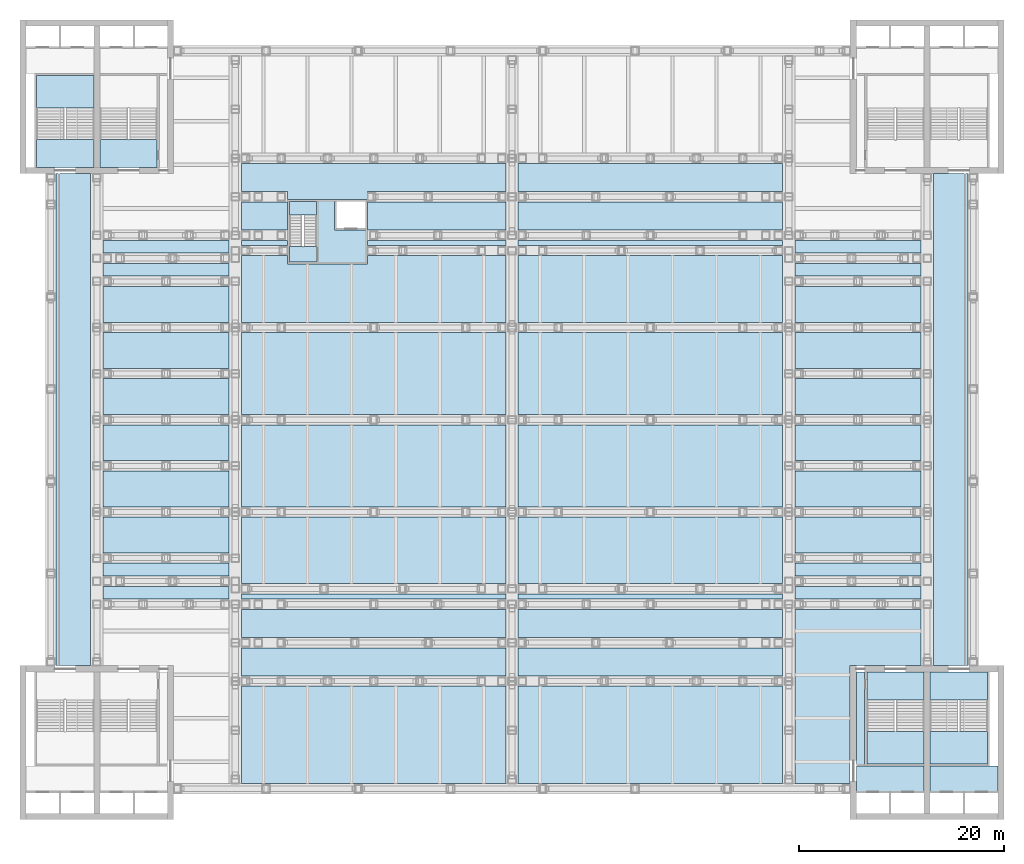
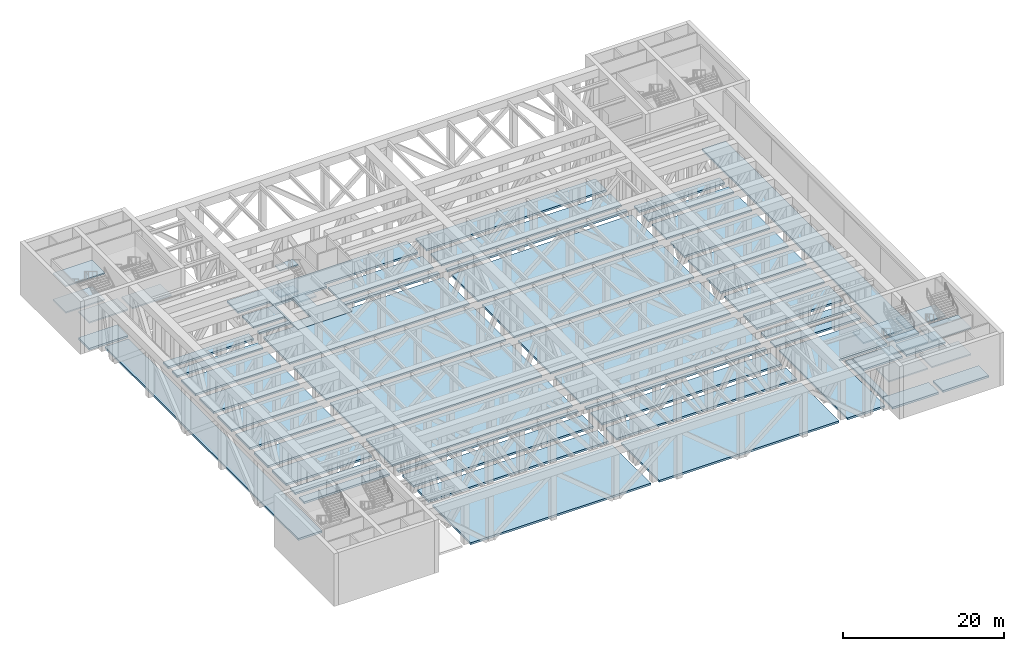
# One storey, part 6 of 20: 67 slabs, 5 elements without a shape of their own.
"""IFC4 building model written with IfcOpenShell, lengths in metres."""

from ifc_helpers import new_model, si_unit, direction, frame, origin, place, context, subcontext, project, spatial, polyline, outline, extrude, material, layer, layer_set, type_object, element, aggregate, save


model = new_model("IFC4")

# Units and contexts
model_context = context("Model", 3, precision=1e-05, world=origin(), true_north=direction((0.0, 1.0)))
body_context = subcontext(model_context, "Body", "Model", "MODEL_VIEW")
ifc_project = project(units=[si_unit("LENGTHUNIT", "METRE"), si_unit("AREAUNIT", "SQUARE_METRE"), si_unit("VOLUMEUNIT", "CUBIC_METRE"), si_unit("PLANEANGLEUNIT", "RADIAN"), si_unit("MASSUNIT", "GRAM", prefix="KILO")], contexts=[model_context])

# Site, building, storey
site_placement = place(None, origin())
site = spatial("IfcSite", under=ifc_project, at=site_placement, CompositionType="ELEMENT")
building_placement = place(site_placement, origin())
building = spatial("IfcBuilding", under=site, at=building_placement, Name="Corbelhall Arena Tower", CompositionType="ELEMENT")
storey_placement = place(building_placement, frame((0.0, 0.0, 44.0)))
storey = spatial("IfcBuildingStorey", under=building, at=storey_placement, Name="L06", CompositionType="ELEMENT", Elevation=44.0)

# Stair, slab
ifc_material_1 = material(Name="Reinforced concrete C40/50", Category="concrete")
stair_type_1 = type_object("IfcStairType", Name="AR-EXIT-STAIR", PredefinedType="HALF_TURN_STAIR", material=ifc_material_1)
stair_1_placement = place(storey_placement, origin())
stair_1 = element("IfcStair", 1, at=stair_1_placement, inside=storey, type_object=stair_type_1, Name="L06 exit stair AS3", PredefinedType="HALF_TURN_STAIR")
ifc_layer_1 = layer(ifc_material_1, 0.199951171875)
ifc_layer_set_1 = layer_set([ifc_layer_1], Name="AR-EXIT-LANDING")
slab_type_1 = type_object("IfcSlabType", Name="AR-EXIT-LANDING", PredefinedType="LANDING", material=ifc_layer_set_1)
slab_1_placement = place(storey_placement, frame((0.0, 0.0, 3.800048828125)))
slab_1 = element("IfcSlab", 2, at=slab_1_placement, type_object=slab_type_1, Name="AS3 landing 2", PredefinedType="LANDING", context=body_context, shape_type="SweptSolid", body=[
    extrude(outline(polyline([(-34.610107421875, 24.60009765625), (-34.610107421875, 27.320068359375), (-40.199951171875, 27.320068359375), (-40.199951171875, 24.60009765625), (-34.610107421875, 24.60009765625)])), origin(), (0.0, 0.0, 1.0), 0.199951171875),
])
aggregate(stair_1, [slab_1])

# Stair, slabs
stair_2_placement = place(storey_placement, origin())
stair_2 = element("IfcStair", 3, at=stair_2_placement, inside=storey, type_object=stair_type_1, Name="L06 exit stair AS4", PredefinedType="HALF_TURN_STAIR")
slab_2_placement = place(storey_placement, frame((0.0, 0.0, 1.800048828125)))
slab_2 = element("IfcSlab", 4, at=slab_2_placement, type_object=slab_type_1, Name="AS4 landing 1", PredefinedType="LANDING", context=body_context, shape_type="SweptSolid", body=[
    extrude(outline(polyline([(-40.800048828125, 30.39990234375), (-40.800048828125, 33.60009765625), (-46.389892578125, 33.60009765625), (-46.389892578125, 30.39990234375), (-40.800048828125, 30.39990234375)])), origin(), (0.0, 0.0, 1.0), 0.199951171875),
])
slab_3_placement = place(storey_placement, frame((0.0, 0.0, 3.800048828125)))
slab_3 = element("IfcSlab", 5, at=slab_3_placement, type_object=slab_type_1, Name="AS4 landing 2", PredefinedType="LANDING", context=body_context, shape_type="SweptSolid", body=[
    extrude(outline(polyline([(-40.800048828125, 24.60009765625), (-40.800048828125, 27.320068359375), (-46.389892578125, 27.320068359375), (-46.389892578125, 24.60009765625), (-40.800048828125, 24.60009765625)])), origin(), (0.0, 0.0, 1.0), 0.199951171875),
])
slab_4_placement = place(storey_placement, frame((0.0, 0.0, 5.800048828125)))
slab_4 = element("IfcSlab", 6, at=slab_4_placement, type_object=slab_type_1, Name="AS4 landing 3", PredefinedType="LANDING", context=body_context, shape_type="SweptSolid", body=[
    extrude(outline(polyline([(-40.800048828125, 30.39990234375), (-40.800048828125, 33.60009765625), (-46.389892578125, 33.60009765625), (-46.389892578125, 30.39990234375), (-40.800048828125, 30.39990234375)])), origin(), (0.0, 0.0, 1.0), 0.199951171875),
])
aggregate(stair_2, [slab_2, slab_3, slab_4])

stair_3_placement = place(storey_placement, origin())
stair_3 = element("IfcStair", 7, at=stair_3_placement, inside=storey, type_object=stair_type_1, Name="L06 exit stair AS5", PredefinedType="HALF_TURN_STAIR")
slab_5_placement = place(storey_placement, frame((0.0, 0.0, 1.800048828125)))
slab_5 = element("IfcSlab", 8, at=slab_5_placement, type_object=slab_type_1, Name="AS5 landing 1", PredefinedType="LANDING", context=body_context, shape_type="SweptSolid", body=[
    extrude(outline(polyline([(34.610107421875, -30.39990234375), (34.610107421875, -33.60009765625), (40.199951171875, -33.60009765625), (40.199951171875, -30.39990234375), (34.610107421875, -30.39990234375)])), origin(), (0.0, 0.0, 1.0), 0.199951171875),
])
slab_6_placement = place(storey_placement, frame((0.0, 0.0, 3.800048828125)))
slab_6 = element("IfcSlab", 9, at=slab_6_placement, type_object=slab_type_1, Name="AS5 landing 2", PredefinedType="LANDING", context=body_context, shape_type="SweptSolid", body=[
    extrude(outline(polyline([(34.610107421875, -24.60009765625), (34.610107421875, -27.320068359375), (40.199951171875, -27.320068359375), (40.199951171875, -24.60009765625), (34.610107421875, -24.60009765625)])), origin(), (0.0, 0.0, 1.0), 0.199951171875),
])
slab_7_placement = place(storey_placement, frame((0.0, 0.0, 5.800048828125)))
slab_7 = element("IfcSlab", 10, at=slab_7_placement, type_object=slab_type_1, Name="AS5 landing 3", PredefinedType="LANDING", context=body_context, shape_type="SweptSolid", body=[
    extrude(outline(polyline([(34.610107421875, -30.39990234375), (34.610107421875, -33.60009765625), (40.199951171875, -33.60009765625), (40.199951171875, -30.39990234375), (34.610107421875, -30.39990234375)])), origin(), (0.0, 0.0, 1.0), 0.199951171875),
])
aggregate(stair_3, [slab_5, slab_6, slab_7])

stair_4_placement = place(storey_placement, origin())
stair_4 = element("IfcStair", 11, at=stair_4_placement, inside=storey, type_object=stair_type_1, Name="L06 exit stair AS6", PredefinedType="HALF_TURN_STAIR")
slab_8_placement = place(storey_placement, frame((0.0, 0.0, 1.800048828125)))
slab_8 = element("IfcSlab", 12, at=slab_8_placement, type_object=slab_type_1, Name="AS6 landing 1", PredefinedType="LANDING", context=body_context, shape_type="SweptSolid", body=[
    extrude(outline(polyline([(40.800048828125, -30.39990234375), (40.800048828125, -33.60009765625), (46.389892578125, -33.60009765625), (46.389892578125, -30.39990234375), (40.800048828125, -30.39990234375)])), origin(), (0.0, 0.0, 1.0), 0.199951171875),
])
slab_9_placement = place(storey_placement, frame((0.0, 0.0, 3.800048828125)))
slab_9 = element("IfcSlab", 13, at=slab_9_placement, type_object=slab_type_1, Name="AS6 landing 2", PredefinedType="LANDING", context=body_context, shape_type="SweptSolid", body=[
    extrude(outline(polyline([(40.800048828125, -24.60009765625), (40.800048828125, -27.320068359375), (46.389892578125, -27.320068359375), (46.389892578125, -24.60009765625), (40.800048828125, -24.60009765625)])), origin(), (0.0, 0.0, 1.0), 0.199951171875),
])
slab_10_placement = place(storey_placement, frame((0.0, 0.0, 5.800048828125)))
slab_10 = element("IfcSlab", 14, at=slab_10_placement, type_object=slab_type_1, Name="AS6 landing 3", PredefinedType="LANDING", context=body_context, shape_type="SweptSolid", body=[
    extrude(outline(polyline([(40.800048828125, -30.39990234375), (40.800048828125, -33.60009765625), (46.389892578125, -33.60009765625), (46.389892578125, -30.39990234375), (40.800048828125, -30.39990234375)])), origin(), (0.0, 0.0, 1.0), 0.199951171875),
])
aggregate(stair_4, [slab_8, slab_9, slab_10])

# Slabs
ifc_layer_2 = layer(ifc_material_1, 0.300048828125)
ifc_layer_set_2 = layer_set([ifc_layer_2], Name="AR-STAIR-FLOOR")
slab_type_2 = type_object("IfcSlabType", Name="AR-STAIR-FLOOR", PredefinedType="FLOOR", material=ifc_layer_set_2)
slab_11_placement = place(storey_placement, frame((0.0, 0.0, -0.300048828125)))
element("IfcSlab", 15, at=slab_11_placement, inside=storey, type_object=slab_type_2, Name="Stair AS4 floor", PredefinedType="FLOOR", context=body_context, shape_type="SweptSolid", body=[
    extrude(outline(polyline([(-40.800048828125, 24.60009765625), (-46.389892578125, 24.60009765625), (-46.389892578125, 27.322998046875), (-40.800048828125, 27.322998046875), (-40.800048828125, 24.60009765625)])), origin(), (0.0, 0.0, 1.0), 0.300048828125),
])
slab_12_placement = place(storey_placement, frame((0.0, 0.0, -0.300048828125)))
element("IfcSlab", 16, at=slab_12_placement, inside=storey, type_object=slab_type_2, Name="Stair AS5 floor", PredefinedType="FLOOR", context=body_context, shape_type="SweptSolid", body=[
    extrude(outline(polyline([(34.610107421875, -24.60009765625), (40.199951171875, -24.60009765625), (40.199951171875, -27.322998046875), (34.610107421875, -27.322998046875), (34.610107421875, -24.60009765625)])), origin(), (0.0, 0.0, 1.0), 0.300048828125),
])
slab_13_placement = place(storey_placement, frame((0.0, 0.0, -0.300048828125)))
element("IfcSlab", 17, at=slab_13_placement, inside=storey, type_object=slab_type_2, Name="Stair AS6 floor", PredefinedType="FLOOR", context=body_context, shape_type="SweptSolid", body=[
    extrude(outline(polyline([(40.800048828125, -24.60009765625), (46.389892578125, -24.60009765625), (46.389892578125, -27.322998046875), (40.800048828125, -27.322998046875), (40.800048828125, -24.60009765625)])), origin(), (0.0, 0.0, 1.0), 0.300048828125),
])
slab_14_placement = place(storey_placement, frame((0.0, 0.0, -0.300048828125)))
element("IfcSlab", 18, at=slab_14_placement, inside=storey, type_object=slab_type_2, Name="Lift lobby floor SE", PredefinedType="FLOOR", context=body_context, shape_type="SweptSolid", body=[
    extrude(outline(polyline([(40.199951171875, -36.300048828125), (40.199951171875, -33.800048828125), (33.60009765625, -33.800048828125), (33.60009765625, -36.300048828125), (40.199951171875, -36.300048828125)])), origin(), (0.0, 0.0, 1.0), 0.300048828125),
])
slab_15_placement = place(storey_placement, frame((0.0, 0.0, -0.300048828125)))
element("IfcSlab", 19, at=slab_15_placement, inside=storey, type_object=slab_type_2, Name="Lift lobby floor SE", PredefinedType="FLOOR", context=body_context, shape_type="SweptSolid", body=[
    extrude(outline(polyline([(47.39990234375, -36.300048828125), (47.39990234375, -33.800048828125), (40.800048828125, -33.800048828125), (40.800048828125, -36.300048828125), (47.39990234375, -36.300048828125)])), origin(), (0.0, 0.0, 1.0), 0.300048828125),
])
slab_16_placement = place(storey_placement, frame((0.0, 0.0, -0.300048828125)))
element("IfcSlab", 20, at=slab_16_placement, inside=storey, type_object=slab_type_2, Name="Mechanical plant room 03 floor", PredefinedType="FLOOR", context=body_context, shape_type="SweptSolid", body=[
    extrude(outline(polyline([(34.409912109375, -33.699951171875), (34.409912109375, -24.60009765625), (33.60009765625, -24.60009765625), (33.60009765625, -33.699951171875), (34.409912109375, -33.699951171875)])), origin(), (0.0, 0.0, 1.0), 0.300048828125),
])
ifc_material_2 = material(Name="Concrete C40/50", Category="concrete")
ifc_layer_3 = layer(ifc_material_2, 0.300048828125)
ifc_layer_set_3 = layer_set([ifc_layer_3], Name="IN-SL-EAR")
slab_type_3 = type_object("IfcSlabType", Name="IN-SL-EAR", PredefinedType="FLOOR", material=ifc_layer_set_3)
slab_17_placement = place(storey_placement, frame((0.0, 0.0, -0.300048828125)))
element("IfcSlab", 21, at=slab_17_placement, inside=storey, type_object=slab_type_3, Name="Fire service turret floor", PredefinedType="FLOOR", context=body_context, shape_type="SweptSolid", body=[
    extrude(outline(polyline([(-21.89990234375, 15.199951171875), (-14.10009765625, 15.199951171875), (-14.10009765625, 18.5), (-17.300048828125, 18.5), (-17.300048828125, 21.5), (-21.89990234375, 21.5), (-21.89990234375, 15.199951171875)]), holes=[polyline([(-19.094970703125, 21.300048828125), (-21.695068359375, 21.300048828125), (-21.695068359375, 16.903076171875), (-19.094970703125, 16.903076171875), (-19.094970703125, 21.300048828125)])]), origin(), (0.0, 0.0, 1.0), 0.300048828125),
])

# Stair, slabs
stair_type_2 = type_object("IfcStairType", Name="IN-ST-TOWER", PredefinedType="HALF_TURN_STAIR", material=ifc_material_2)
stair_5_placement = place(storey_placement, origin())
stair_5 = element("IfcStair", 22, at=stair_5_placement, inside=storey, type_object=stair_type_2, Name="L06 Exit stair AS17", PredefinedType="HALF_TURN_STAIR")
ifc_layer_4 = layer(ifc_material_2, 0.199951171875)
ifc_layer_set_4 = layer_set([ifc_layer_4], Name="IN-SL-LANDING")
slab_type_4 = type_object("IfcSlabType", Name="IN-SL-LANDING", PredefinedType="LANDING", material=ifc_layer_set_4)
slab_18_placement = place(storey_placement, frame((0.0, 0.0, 1.800048828125)))
slab_18 = element("IfcSlab", 23, at=slab_18_placement, type_object=slab_type_4, Name="AS17 landing 1", PredefinedType="LANDING", context=body_context, shape_type="SweptSolid", body=[
    extrude(outline(polyline([(-19.094970703125, 19.97998046875), (-19.094970703125, 21.300048828125), (-21.695068359375, 21.300048828125), (-21.695068359375, 19.97998046875), (-19.094970703125, 19.97998046875)])), origin(), (0.0, 0.0, 1.0), 0.199951171875),
])
slab_19_placement = place(storey_placement, frame((0.0, 0.0, 3.800048828125)))
slab_19 = element("IfcSlab", 24, at=slab_19_placement, type_object=slab_type_4, Name="AS17 landing 2", PredefinedType="LANDING", context=body_context, shape_type="SweptSolid", body=[
    extrude(outline(polyline([(-19.094970703125, 15.39990234375), (-19.094970703125, 16.89990234375), (-21.695068359375, 16.89990234375), (-21.695068359375, 15.39990234375), (-19.094970703125, 15.39990234375)])), origin(), (0.0, 0.0, 1.0), 0.199951171875),
])
slab_20_placement = place(storey_placement, frame((0.0, 0.0, 5.800048828125)))
slab_20 = element("IfcSlab", 25, at=slab_20_placement, type_object=slab_type_4, Name="AS17 landing 3", PredefinedType="LANDING", context=body_context, shape_type="SweptSolid", body=[
    extrude(outline(polyline([(-19.094970703125, 19.97998046875), (-19.094970703125, 21.300048828125), (-21.695068359375, 21.300048828125), (-21.695068359375, 19.97998046875), (-19.094970703125, 19.97998046875)])), origin(), (0.0, 0.0, 1.0), 0.199951171875),
])
aggregate(stair_5, [slab_18, slab_19, slab_20])

# Slabs
ifc_material_3 = material(Name="Concrete C32/40", Category="concrete")
ifc_layer_5 = layer(ifc_material_3, 0.300048828125)
ifc_layer_set_5 = layer_set([ifc_layer_5], Name="PO-DECK-FLOOR")
slab_type_5 = type_object("IfcSlabType", Name="PO-DECK-FLOOR", PredefinedType="FLOOR", material=ifc_layer_set_5)
slab_21_placement = place(storey_placement, frame((0.0, 0.0, -0.300048828125)))
element("IfcSlab", 26, at=slab_21_placement, inside=storey, type_object=slab_type_5, Name="DECK BOT 1", PredefinedType="FLOOR", context=body_context, shape_type="SweptSolid", body=[
    extrude(outline(polyline([(-44.5, -24.0), (-44.5, 24.0), (-41.10009765625, 24.0), (-41.10009765625, -24.0), (-44.5, -24.0)])), origin(), (0.0, 0.0, 1.0), 0.300048828125),
])
slab_22_placement = place(storey_placement, frame((0.0, 0.0, -0.300048828125)))
element("IfcSlab", 27, at=slab_22_placement, inside=storey, type_object=slab_type_5, Name="DECK BOT 2", PredefinedType="FLOOR", context=body_context, shape_type="SweptSolid", body=[
    extrude(outline(polyline([(-27.60009765625, -16.25), (-27.60009765625, -17.5), (-39.89990234375, -17.5), (-39.89990234375, -16.25), (-27.60009765625, -16.25)])), origin(), (0.0, 0.0, 1.0), 0.300048828125),
])
slab_23_placement = place(storey_placement, frame((0.0, 0.0, -0.300048828125)))
element("IfcSlab", 28, at=slab_23_placement, inside=storey, type_object=slab_type_5, Name="DECK BOT 3", PredefinedType="FLOOR", context=body_context, shape_type="SweptSolid", body=[
    extrude(outline(polyline([(-27.60009765625, -14.0), (-27.60009765625, -15.25), (-39.89990234375, -15.25), (-39.89990234375, -14.0), (-27.60009765625, -14.0)])), origin(), (0.0, 0.0, 1.0), 0.300048828125),
])
slab_24_placement = place(storey_placement, frame((0.0, 0.0, -0.300048828125)))
element("IfcSlab", 29, at=slab_24_placement, inside=storey, type_object=slab_type_5, Name="DECK BOT 4", PredefinedType="FLOOR", context=body_context, shape_type="SweptSolid", body=[
    extrude(outline(polyline([(-27.60009765625, -9.5), (-27.60009765625, -13.0), (-39.89990234375, -13.0), (-39.89990234375, -9.5), (-27.60009765625, -9.5)])), origin(), (0.0, 0.0, 1.0), 0.300048828125),
])
slab_25_placement = place(storey_placement, frame((0.0, 0.0, -0.300048828125)))
element("IfcSlab", 30, at=slab_25_placement, inside=storey, type_object=slab_type_5, Name="DECK BOT 5", PredefinedType="FLOOR", context=body_context, shape_type="SweptSolid", body=[
    extrude(outline(polyline([(-27.60009765625, -5.0), (-27.60009765625, -8.5), (-39.89990234375, -8.5), (-39.89990234375, -5.0), (-27.60009765625, -5.0)])), origin(), (0.0, 0.0, 1.0), 0.300048828125),
])
slab_26_placement = place(storey_placement, frame((0.0, 0.0, -0.300048828125)))
element("IfcSlab", 31, at=slab_26_placement, inside=storey, type_object=slab_type_5, Name="DECK BOT 6", PredefinedType="FLOOR", context=body_context, shape_type="SweptSolid", body=[
    extrude(outline(polyline([(-27.60009765625, -0.5), (-27.60009765625, -4.0), (-39.89990234375, -4.0), (-39.89990234375, -0.5), (-27.60009765625, -0.5)])), origin(), (0.0, 0.0, 1.0), 0.300048828125),
])
slab_27_placement = place(storey_placement, frame((0.0, 0.0, -0.300048828125)))
element("IfcSlab", 32, at=slab_27_placement, inside=storey, type_object=slab_type_5, Name="DECK BOT 7", PredefinedType="FLOOR", context=body_context, shape_type="SweptSolid", body=[
    extrude(outline(polyline([(-27.60009765625, 4.0), (-27.60009765625, 0.5), (-39.89990234375, 0.5), (-39.89990234375, 4.0), (-27.60009765625, 4.0)])), origin(), (0.0, 0.0, 1.0), 0.300048828125),
])
slab_28_placement = place(storey_placement, frame((0.0, 0.0, -0.300048828125)))
element("IfcSlab", 33, at=slab_28_placement, inside=storey, type_object=slab_type_5, Name="DECK BOT 8", PredefinedType="FLOOR", context=body_context, shape_type="SweptSolid", body=[
    extrude(outline(polyline([(-27.60009765625, 8.5), (-27.60009765625, 5.0), (-39.89990234375, 5.0), (-39.89990234375, 8.5), (-27.60009765625, 8.5)])), origin(), (0.0, 0.0, 1.0), 0.300048828125),
])
slab_29_placement = place(storey_placement, frame((0.0, 0.0, -0.300048828125)))
element("IfcSlab", 34, at=slab_29_placement, inside=storey, type_object=slab_type_5, Name="DECK BOT 9", PredefinedType="FLOOR", context=body_context, shape_type="SweptSolid", body=[
    extrude(outline(polyline([(-27.60009765625, 13.0), (-27.60009765625, 9.5), (-39.89990234375, 9.5), (-39.89990234375, 13.0), (-27.60009765625, 13.0)])), origin(), (0.0, 0.0, 1.0), 0.300048828125),
])
slab_30_placement = place(storey_placement, frame((0.0, 0.0, -0.300048828125)))
element("IfcSlab", 35, at=slab_30_placement, inside=storey, type_object=slab_type_5, Name="DECK BOT 10", PredefinedType="FLOOR", context=body_context, shape_type="SweptSolid", body=[
    extrude(outline(polyline([(-27.60009765625, 15.25), (-27.60009765625, 14.0), (-39.89990234375, 14.0), (-39.89990234375, 15.25), (-27.60009765625, 15.25)])), origin(), (0.0, 0.0, 1.0), 0.300048828125),
])
slab_31_placement = place(storey_placement, frame((0.0, 0.0, -0.300048828125)))
element("IfcSlab", 36, at=slab_31_placement, inside=storey, type_object=slab_type_5, Name="DECK BOT 11", PredefinedType="FLOOR", context=body_context, shape_type="SweptSolid", body=[
    extrude(outline(polyline([(-39.89990234375, 16.25), (-39.89990234375, 17.5), (-27.60009765625, 17.5), (-27.60009765625, 16.25), (-39.89990234375, 16.25)])), origin(), (0.0, 0.0, 1.0), 0.300048828125),
])
slab_32_placement = place(storey_placement, frame((0.0, 0.0, -0.300048828125)))
element("IfcSlab", 37, at=slab_32_placement, inside=storey, type_object=slab_type_5, Name="DECK BOT 14", PredefinedType="FLOOR", context=body_context, shape_type="SweptSolid", body=[
    extrude(outline(polyline([(-26.39990234375, 17.0), (-26.39990234375, 17.5), (-21.89990234375, 17.5), (-21.89990234375, 17.0), (-26.39990234375, 17.0)])), origin(), (0.0, 0.0, 1.0), 0.300048828125),
])
slab_33_placement = place(storey_placement, frame((0.0, 0.0, -0.300048828125)))
element("IfcSlab", 38, at=slab_33_placement, inside=storey, type_object=slab_type_5, Name="DECK BOT 15", PredefinedType="FLOOR", context=body_context, shape_type="SweptSolid", body=[
    extrude(outline(polyline([(-26.39990234375, 18.5), (-26.39990234375, 21.25), (-21.89990234375, 21.25), (-21.89990234375, 18.5), (-26.39990234375, 18.5)])), origin(), (0.0, 0.0, 1.0), 0.300048828125),
])
slab_34_placement = place(storey_placement, frame((0.0, 0.0, -0.300048828125)))
element("IfcSlab", 39, at=slab_34_placement, inside=storey, type_object=slab_type_5, Name="DECK BOT 16", PredefinedType="FLOOR", context=body_context, shape_type="SweptSolid", body=[
    extrude(outline(polyline([(-26.39990234375, 25.0), (-0.60009765625, 25.0), (-0.60009765625, 22.25), (-14.10009765625, 22.25), (-14.10009765625, 21.5), (-21.89990234375, 21.5), (-21.89990234375, 22.25), (-26.39990234375, 22.25), (-26.39990234375, 25.0)])), origin(), (0.0, 0.0, 1.0), 0.300048828125),
])
slab_35_placement = place(storey_placement, frame((0.0, 0.0, -0.300048828125)))
element("IfcSlab", 40, at=slab_35_placement, inside=storey, type_object=slab_type_5, Name="DECK BOT 17", PredefinedType="FLOOR", context=body_context, shape_type="SweptSolid", body=[
    extrude(outline(polyline([(-0.60009765625, -26.0), (-0.60009765625, -35.5), (-26.39990234375, -35.5), (-26.39990234375, -26.0), (-0.60009765625, -26.0)])), origin(), (0.0, 0.0, 1.0), 0.300048828125),
])
slab_36_placement = place(storey_placement, frame((0.0, 0.0, -0.300048828125)))
element("IfcSlab", 41, at=slab_36_placement, inside=storey, type_object=slab_type_5, Name="DECK BOT 18", PredefinedType="FLOOR", context=body_context, shape_type="SweptSolid", body=[
    extrude(outline(polyline([(-0.60009765625, -22.25), (-0.60009765625, -25.0), (-26.39990234375, -25.0), (-26.39990234375, -22.25), (-0.60009765625, -22.25)])), origin(), (0.0, 0.0, 1.0), 0.300048828125),
])
slab_37_placement = place(storey_placement, frame((0.0, 0.0, -0.300048828125)))
element("IfcSlab", 42, at=slab_37_placement, inside=storey, type_object=slab_type_5, Name="DECK BOT 19", PredefinedType="FLOOR", context=body_context, shape_type="SweptSolid", body=[
    extrude(outline(polyline([(-0.60009765625, -18.5), (-0.60009765625, -21.25), (-26.39990234375, -21.25), (-26.39990234375, -18.5), (-0.60009765625, -18.5)])), origin(), (0.0, 0.0, 1.0), 0.300048828125),
])
slab_38_placement = place(storey_placement, frame((0.0, 0.0, -0.300048828125)))
element("IfcSlab", 43, at=slab_38_placement, inside=storey, type_object=slab_type_5, Name="DECK BOT 20", PredefinedType="FLOOR", context=body_context, shape_type="SweptSolid", body=[
    extrude(outline(polyline([(-0.60009765625, -17.0), (-0.60009765625, -17.5), (-26.39990234375, -17.5), (-26.39990234375, -17.0), (-0.60009765625, -17.0)])), origin(), (0.0, 0.0, 1.0), 0.300048828125),
])
slab_39_placement = place(storey_placement, frame((0.0, 0.0, -0.300048828125)))
element("IfcSlab", 44, at=slab_39_placement, inside=storey, type_object=slab_type_5, Name="DECK BOT 21", PredefinedType="FLOOR", context=body_context, shape_type="SweptSolid", body=[
    extrude(outline(polyline([(-0.60009765625, -9.5), (-0.60009765625, -16.0), (-26.39990234375, -16.0), (-26.39990234375, -9.5), (-0.60009765625, -9.5)])), origin(), (0.0, 0.0, 1.0), 0.300048828125),
])
slab_40_placement = place(storey_placement, frame((0.0, 0.0, -0.300048828125)))
element("IfcSlab", 45, at=slab_40_placement, inside=storey, type_object=slab_type_5, Name="DECK BOT 22", PredefinedType="FLOOR", context=body_context, shape_type="SweptSolid", body=[
    extrude(outline(polyline([(-26.39990234375, -0.5), (-0.60009765625, -0.5), (-0.60009765625, -8.5), (-26.39990234375, -8.5), (-26.39990234375, -0.5)])), origin(), (0.0, 0.0, 1.0), 0.300048828125),
])
slab_41_placement = place(storey_placement, frame((0.0, 0.0, -0.300048828125)))
element("IfcSlab", 46, at=slab_41_placement, inside=storey, type_object=slab_type_5, Name="DECK BOT 23", PredefinedType="FLOOR", context=body_context, shape_type="SweptSolid", body=[
    extrude(outline(polyline([(-26.39990234375, 8.5), (-0.60009765625, 8.5), (-0.60009765625, 0.5), (-26.39990234375, 0.5), (-26.39990234375, 8.5)])), origin(), (0.0, 0.0, 1.0), 0.300048828125),
])
slab_42_placement = place(storey_placement, frame((0.0, 0.0, -0.300048828125)))
element("IfcSlab", 47, at=slab_42_placement, inside=storey, type_object=slab_type_5, Name="DECK BOT 25", PredefinedType="FLOOR", context=body_context, shape_type="SweptSolid", body=[
    extrude(outline(polyline([(-14.10009765625, 16.0), (-0.60009765625, 16.0), (-0.60009765625, 9.5), (-26.39990234375, 9.5), (-26.39990234375, 16.0), (-21.89990234375, 16.0), (-21.89990234375, 15.199951171875), (-14.10009765625, 15.199951171875), (-14.10009765625, 16.0)])), origin(), (0.0, 0.0, 1.0), 0.300048828125),
])
slab_43_placement = place(storey_placement, frame((0.0, 0.0, -0.300048828125)))
element("IfcSlab", 48, at=slab_43_placement, inside=storey, type_object=slab_type_5, Name="DECK BOT 26", PredefinedType="FLOOR", context=body_context, shape_type="SweptSolid", body=[
    extrude(outline(polyline([(-14.10009765625, 17.5), (-0.60009765625, 17.5), (-0.60009765625, 17.0), (-14.10009765625, 17.0), (-14.10009765625, 17.5)])), origin(), (0.0, 0.0, 1.0), 0.300048828125),
])
slab_44_placement = place(storey_placement, frame((0.0, 0.0, -0.300048828125)))
element("IfcSlab", 49, at=slab_44_placement, inside=storey, type_object=slab_type_5, Name="DECK BOT 27", PredefinedType="FLOOR", context=body_context, shape_type="SweptSolid", body=[
    extrude(outline(polyline([(-14.10009765625, 21.25), (-0.60009765625, 21.25), (-0.60009765625, 18.5), (-14.10009765625, 18.5), (-14.10009765625, 21.25)])), origin(), (0.0, 0.0, 1.0), 0.300048828125),
])
slab_45_placement = place(storey_placement, frame((0.0, 0.0, -0.300048828125)))
element("IfcSlab", 50, at=slab_45_placement, inside=storey, type_object=slab_type_5, Name="DECK BOT 28", PredefinedType="FLOOR", context=body_context, shape_type="SweptSolid", body=[
    extrude(outline(polyline([(0.60009765625, -35.5), (0.60009765625, -26.0), (26.39990234375, -26.0), (26.39990234375, -35.5), (0.60009765625, -35.5)])), origin(), (0.0, 0.0, 1.0), 0.300048828125),
])
slab_46_placement = place(storey_placement, frame((0.0, 0.0, -0.300048828125)))
element("IfcSlab", 51, at=slab_46_placement, inside=storey, type_object=slab_type_5, Name="DECK BOT 29", PredefinedType="FLOOR", context=body_context, shape_type="SweptSolid", body=[
    extrude(outline(polyline([(0.60009765625, -25.0), (0.60009765625, -22.25), (26.39990234375, -22.25), (26.39990234375, -25.0), (0.60009765625, -25.0)])), origin(), (0.0, 0.0, 1.0), 0.300048828125),
])
slab_47_placement = place(storey_placement, frame((0.0, 0.0, -0.300048828125)))
element("IfcSlab", 52, at=slab_47_placement, inside=storey, type_object=slab_type_5, Name="DECK BOT 30", PredefinedType="FLOOR", context=body_context, shape_type="SweptSolid", body=[
    extrude(outline(polyline([(0.60009765625, -21.25), (0.60009765625, -18.5), (26.39990234375, -18.5), (26.39990234375, -21.25), (0.60009765625, -21.25)])), origin(), (0.0, 0.0, 1.0), 0.300048828125),
])
slab_48_placement = place(storey_placement, frame((0.0, 0.0, -0.300048828125)))
element("IfcSlab", 53, at=slab_48_placement, inside=storey, type_object=slab_type_5, Name="DECK BOT 31", PredefinedType="FLOOR", context=body_context, shape_type="SweptSolid", body=[
    extrude(outline(polyline([(0.60009765625, -17.5), (0.60009765625, -17.0), (26.39990234375, -17.0), (26.39990234375, -17.5), (0.60009765625, -17.5)])), origin(), (0.0, 0.0, 1.0), 0.300048828125),
])
slab_49_placement = place(storey_placement, frame((0.0, 0.0, -0.300048828125)))
element("IfcSlab", 54, at=slab_49_placement, inside=storey, type_object=slab_type_5, Name="DECK BOT 32", PredefinedType="FLOOR", context=body_context, shape_type="SweptSolid", body=[
    extrude(outline(polyline([(26.39990234375, -9.5), (26.39990234375, -16.0), (0.60009765625, -16.0), (0.60009765625, -9.5), (26.39990234375, -9.5)])), origin(), (0.0, 0.0, 1.0), 0.300048828125),
])
slab_50_placement = place(storey_placement, frame((0.0, 0.0, -0.300048828125)))
element("IfcSlab", 55, at=slab_50_placement, inside=storey, type_object=slab_type_5, Name="DECK BOT 33", PredefinedType="FLOOR", context=body_context, shape_type="SweptSolid", body=[
    extrude(outline(polyline([(0.60009765625, -8.5), (0.60009765625, -0.5), (26.39990234375, -0.5), (26.39990234375, -8.5), (0.60009765625, -8.5)])), origin(), (0.0, 0.0, 1.0), 0.300048828125),
])
slab_51_placement = place(storey_placement, frame((0.0, 0.0, -0.300048828125)))
element("IfcSlab", 56, at=slab_51_placement, inside=storey, type_object=slab_type_5, Name="DECK BOT 34", PredefinedType="FLOOR", context=body_context, shape_type="SweptSolid", body=[
    extrude(outline(polyline([(0.60009765625, 0.5), (0.60009765625, 8.5), (26.39990234375, 8.5), (26.39990234375, 0.5), (0.60009765625, 0.5)])), origin(), (0.0, 0.0, 1.0), 0.300048828125),
])
slab_52_placement = place(storey_placement, frame((0.0, 0.0, -0.300048828125)))
element("IfcSlab", 57, at=slab_52_placement, inside=storey, type_object=slab_type_5, Name="DECK BOT 35", PredefinedType="FLOOR", context=body_context, shape_type="SweptSolid", body=[
    extrude(outline(polyline([(0.60009765625, 16.0), (26.39990234375, 16.0), (26.39990234375, 9.5), (0.60009765625, 9.5), (0.60009765625, 16.0)])), origin(), (0.0, 0.0, 1.0), 0.300048828125),
])
slab_53_placement = place(storey_placement, frame((0.0, 0.0, -0.300048828125)))
element("IfcSlab", 58, at=slab_53_placement, inside=storey, type_object=slab_type_5, Name="DECK BOT 36", PredefinedType="FLOOR", context=body_context, shape_type="SweptSolid", body=[
    extrude(outline(polyline([(0.60009765625, 17.5), (26.39990234375, 17.5), (26.39990234375, 17.0), (0.60009765625, 17.0), (0.60009765625, 17.5)])), origin(), (0.0, 0.0, 1.0), 0.300048828125),
])
slab_54_placement = place(storey_placement, frame((0.0, 0.0, -0.300048828125)))
element("IfcSlab", 59, at=slab_54_placement, inside=storey, type_object=slab_type_5, Name="DECK BOT 37", PredefinedType="FLOOR", context=body_context, shape_type="SweptSolid", body=[
    extrude(outline(polyline([(0.60009765625, 21.25), (26.39990234375, 21.25), (26.39990234375, 18.5), (0.60009765625, 18.5), (0.60009765625, 21.25)])), origin(), (0.0, 0.0, 1.0), 0.300048828125),
])
slab_55_placement = place(storey_placement, frame((0.0, 0.0, -0.300048828125)))
element("IfcSlab", 60, at=slab_55_placement, inside=storey, type_object=slab_type_5, Name="DECK BOT 38", PredefinedType="FLOOR", context=body_context, shape_type="SweptSolid", body=[
    extrude(outline(polyline([(0.60009765625, 25.0), (26.39990234375, 25.0), (26.39990234375, 22.25), (0.60009765625, 22.25), (0.60009765625, 25.0)])), origin(), (0.0, 0.0, 1.0), 0.300048828125),
])
slab_56_placement = place(storey_placement, frame((0.0, 0.0, -0.300048828125)))
element("IfcSlab", 61, at=slab_56_placement, inside=storey, type_object=slab_type_5, Name="DECK BOT 40", PredefinedType="FLOOR", context=body_context, shape_type="SweptSolid", body=[
    extrude(outline(polyline([(27.60009765625, -35.5), (27.60009765625, -18.5), (39.89990234375, -18.5), (39.89990234375, -24.0), (33.0, -24.0), (33.0, -35.5), (27.60009765625, -35.5)])), origin(), (0.0, 0.0, 1.0), 0.300048828125),
])
slab_57_placement = place(storey_placement, frame((0.0, 0.0, -0.300048828125)))
element("IfcSlab", 62, at=slab_57_placement, inside=storey, type_object=slab_type_5, Name="DECK BOT 42", PredefinedType="FLOOR", context=body_context, shape_type="SweptSolid", body=[
    extrude(outline(polyline([(39.89990234375, -17.5), (27.60009765625, -17.5), (27.60009765625, -16.25), (39.89990234375, -16.25), (39.89990234375, -17.5)])), origin(), (0.0, 0.0, 1.0), 0.300048828125),
])
slab_58_placement = place(storey_placement, frame((0.0, 0.0, -0.300048828125)))
element("IfcSlab", 63, at=slab_58_placement, inside=storey, type_object=slab_type_5, Name="DECK BOT 43", PredefinedType="FLOOR", context=body_context, shape_type="SweptSolid", body=[
    extrude(outline(polyline([(27.60009765625, -15.25), (27.60009765625, -14.0), (39.89990234375, -14.0), (39.89990234375, -15.25), (27.60009765625, -15.25)])), origin(), (0.0, 0.0, 1.0), 0.300048828125),
])
slab_59_placement = place(storey_placement, frame((0.0, 0.0, -0.300048828125)))
element("IfcSlab", 64, at=slab_59_placement, inside=storey, type_object=slab_type_5, Name="DECK BOT 44", PredefinedType="FLOOR", context=body_context, shape_type="SweptSolid", body=[
    extrude(outline(polyline([(27.60009765625, -13.0), (27.60009765625, -9.5), (39.89990234375, -9.5), (39.89990234375, -13.0), (27.60009765625, -13.0)])), origin(), (0.0, 0.0, 1.0), 0.300048828125),
])
slab_60_placement = place(storey_placement, frame((0.0, 0.0, -0.300048828125)))
element("IfcSlab", 65, at=slab_60_placement, inside=storey, type_object=slab_type_5, Name="DECK BOT 45", PredefinedType="FLOOR", context=body_context, shape_type="SweptSolid", body=[
    extrude(outline(polyline([(27.60009765625, -8.5), (27.60009765625, -5.0), (39.89990234375, -5.0), (39.89990234375, -8.5), (27.60009765625, -8.5)])), origin(), (0.0, 0.0, 1.0), 0.300048828125),
])
slab_61_placement = place(storey_placement, frame((0.0, 0.0, -0.300048828125)))
element("IfcSlab", 66, at=slab_61_placement, inside=storey, type_object=slab_type_5, Name="DECK BOT 46", PredefinedType="FLOOR", context=body_context, shape_type="SweptSolid", body=[
    extrude(outline(polyline([(27.60009765625, -4.0), (27.60009765625, -0.5), (39.89990234375, -0.5), (39.89990234375, -4.0), (27.60009765625, -4.0)])), origin(), (0.0, 0.0, 1.0), 0.300048828125),
])
slab_62_placement = place(storey_placement, frame((0.0, 0.0, -0.300048828125)))
element("IfcSlab", 67, at=slab_62_placement, inside=storey, type_object=slab_type_5, Name="DECK BOT 47", PredefinedType="FLOOR", context=body_context, shape_type="SweptSolid", body=[
    extrude(outline(polyline([(39.89990234375, 0.5), (27.60009765625, 0.5), (27.60009765625, 4.0), (39.89990234375, 4.0), (39.89990234375, 0.5)])), origin(), (0.0, 0.0, 1.0), 0.300048828125),
])
slab_63_placement = place(storey_placement, frame((0.0, 0.0, -0.300048828125)))
element("IfcSlab", 68, at=slab_63_placement, inside=storey, type_object=slab_type_5, Name="DECK BOT 48", PredefinedType="FLOOR", context=body_context, shape_type="SweptSolid", body=[
    extrude(outline(polyline([(39.89990234375, 5.0), (27.60009765625, 5.0), (27.60009765625, 8.5), (39.89990234375, 8.5), (39.89990234375, 5.0)])), origin(), (0.0, 0.0, 1.0), 0.300048828125),
])
slab_64_placement = place(storey_placement, frame((0.0, 0.0, -0.300048828125)))
element("IfcSlab", 69, at=slab_64_placement, inside=storey, type_object=slab_type_5, Name="DECK BOT 49", PredefinedType="FLOOR", context=body_context, shape_type="SweptSolid", body=[
    extrude(outline(polyline([(39.89990234375, 9.5), (27.60009765625, 9.5), (27.60009765625, 13.0), (39.89990234375, 13.0), (39.89990234375, 9.5)])), origin(), (0.0, 0.0, 1.0), 0.300048828125),
])
slab_65_placement = place(storey_placement, frame((0.0, 0.0, -0.300048828125)))
element("IfcSlab", 70, at=slab_65_placement, inside=storey, type_object=slab_type_5, Name="DECK BOT 50", PredefinedType="FLOOR", context=body_context, shape_type="SweptSolid", body=[
    extrude(outline(polyline([(39.89990234375, 14.0), (27.60009765625, 14.0), (27.60009765625, 15.25), (39.89990234375, 15.25), (39.89990234375, 14.0)])), origin(), (0.0, 0.0, 1.0), 0.300048828125),
])
slab_66_placement = place(storey_placement, frame((0.0, 0.0, -0.300048828125)))
element("IfcSlab", 71, at=slab_66_placement, inside=storey, type_object=slab_type_5, Name="DECK BOT 51", PredefinedType="FLOOR", context=body_context, shape_type="SweptSolid", body=[
    extrude(outline(polyline([(39.89990234375, 16.25), (27.60009765625, 16.25), (27.60009765625, 17.5), (39.89990234375, 17.5), (39.89990234375, 16.25)])), origin(), (0.0, 0.0, 1.0), 0.300048828125),
])
slab_67_placement = place(storey_placement, frame((0.0, 0.0, -0.300048828125)))
element("IfcSlab", 72, at=slab_67_placement, inside=storey, type_object=slab_type_5, Name="DECK BOT 52", PredefinedType="FLOOR", context=body_context, shape_type="SweptSolid", body=[
    extrude(outline(polyline([(44.5, -24.0), (41.10009765625, -24.0), (41.10009765625, 24.0), (44.5, 24.0), (44.5, -24.0)])), origin(), (0.0, 0.0, 1.0), 0.300048828125),
])

save(model, "model.ifc")
